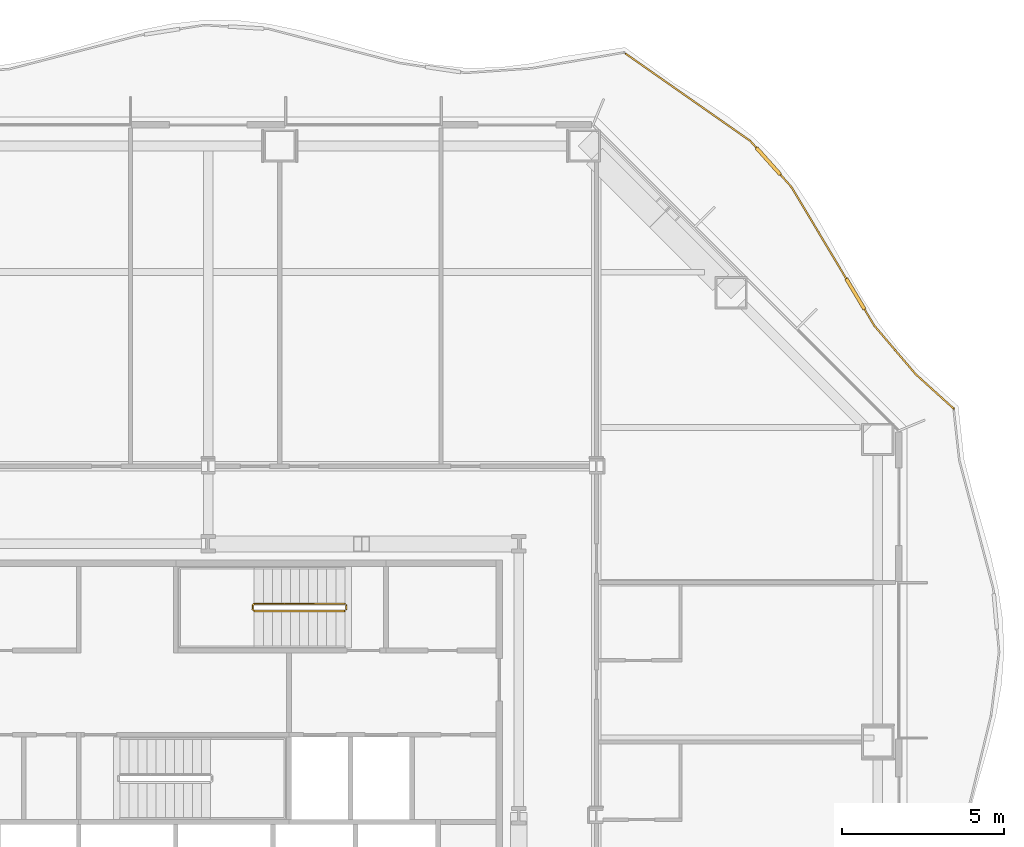
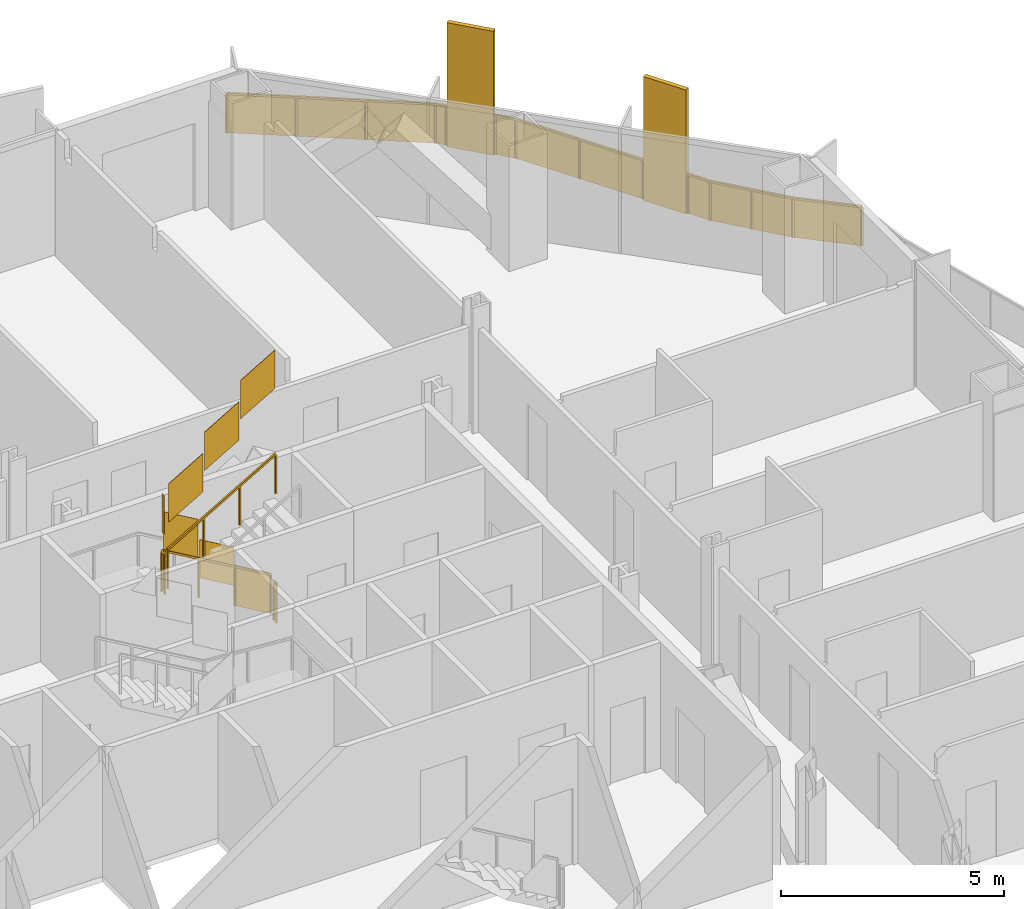
# One storey, part 20 of 20: 3 railings.
"""IFC4 building model written with IfcOpenShell, lengths in metres."""

from ifc_helpers import new_model, si_unit, direction, frame, origin, origin_2d, place, context, subcontext, project, spatial, polyline, rectangle, outline, extrude, material, type_object, element, save


model = new_model("IFC4")

# Units and contexts
model_context = context("Model", 3, precision=1e-05, world=origin(), true_north=direction((0.0, 1.0)))
body_context = subcontext(model_context, "Body", "Model", "MODEL_VIEW")
ifc_project = project(units=[si_unit("LENGTHUNIT", "METRE"), si_unit("AREAUNIT", "SQUARE_METRE"), si_unit("VOLUMEUNIT", "CUBIC_METRE"), si_unit("PLANEANGLEUNIT", "RADIAN"), si_unit("MASSUNIT", "GRAM", prefix="KILO")], contexts=[model_context])

# Site, building, storey
site_placement = place(None, origin())
site = spatial("IfcSite", under=ifc_project, at=site_placement, CompositionType="ELEMENT")
building_placement = place(site_placement, origin())
building = spatial("IfcBuilding", under=site, at=building_placement, Name="Cairn Pilgrim Tower", CompositionType="ELEMENT")
storey_placement = place(building_placement, frame((0.0, 0.0, 61.800048828125)))
storey = spatial("IfcBuildingStorey", under=building, at=storey_placement, Name="L13", CompositionType="ELEMENT", Elevation=61.800048828125)

# Railings
ifc_material_1 = material(Name="Bronze anodised aluminium rail, posts and fin screens with laminated glass infill", Category="aluminium")
railing_type_1 = type_object("IfcRailingType", Name="BALCONY GUARD WITH FIN SCREENS", PredefinedType="GUARDRAIL", material=ifc_material_1)
railing_1_placement = place(storey_placement, frame((30.241943359375, 14.9833984375, 0.0)))
element("IfcRailing", 1, at=railing_1_placement, inside=storey, type_object=railing_type_1, Name="Balcony guard BGF-3 with fin screens", PredefinedType="GUARDRAIL", context=body_context, shape_type="SweptSolid", body=[
    extrude(rectangle(XDim=0.050048828125, YDim=0.050048828125, at=origin_2d()), frame((0.0, 0.0, 1.0751953125), z_axis=(-0.741440646102, 0.671018456012, 0.0), x_axis=(-0.671018456012, -0.741440646102, 0.0)), (0.0, 0.0, 1.0), 1.580810546875),
    extrude(rectangle(XDim=0.050048828125, YDim=0.050048828125, at=origin_2d()), frame((-1.172119140625, 1.060791015625, 1.0751953125), z_axis=(-0.648674107151, 0.761066293244, 0.0), x_axis=(-0.761066293244, -0.648674107151, 0.0)), (0.0, 0.0, 1.0), 1.968017578125),
    extrude(rectangle(XDim=1.10009765625, YDim=0.110107421875, at=origin_2d()), frame((-3.037353515625, 3.54345703125, 0.0), z_axis=(0.0, 0.0, 1.0), x_axis=(-0.513065612335, 0.858349391238, 0.0)), (0.0, 0.0, 1.0), 3.39990234375),
    extrude(rectangle(XDim=0.050048828125, YDim=0.050048828125, at=origin_2d()), frame((-2.44873046875, 2.55859375, 1.0751953125), z_axis=(-0.513065612335, 0.858349391238, 0.0), x_axis=(-0.858349391238, -0.513065612335, 0.0)), (0.0, 0.0, 1.0), 0.597412109375),
    extrude(rectangle(XDim=0.050048828125, YDim=0.050048828125, at=origin_2d()), frame((-3.319580078125, 4.015625, 1.0751953125), z_axis=(-0.513065612335, 0.858349391238, 0.0), x_axis=(-0.858349391238, -0.513065612335, 0.0)), (0.0, 0.0, 1.0), 3.30078125),
    extrude(rectangle(XDim=1.10009765625, YDim=0.110107421875, at=origin_2d()), frame((-5.7255859375, 7.645263671875, 0.0), z_axis=(0.0, 0.0, 1.0), x_axis=(-0.666723892822, 0.745304803916, 0.0)), (0.0, 0.0, 1.0), 3.39990234375),
    extrude(rectangle(XDim=0.050048828125, YDim=0.050048828125, at=origin_2d()), frame((-5.01318359375, 6.848876953125, 1.0751953125), z_axis=(-0.666723892822, 0.745304803916, 0.0), x_axis=(-0.745304803916, -0.666723892822, 0.0)), (0.0, 0.0, 1.0), 0.518310546875),
    extrude(rectangle(XDim=0.050048828125, YDim=0.050048828125, at=origin_2d()), frame((-6.09228515625, 8.05517578125, 1.0751953125), z_axis=(-0.666723892822, 0.745304803916, 0.0), x_axis=(-0.745304803916, -0.666723892822, 0.0)), (0.0, 0.0, 1.0), 0.292236328125),
    extrude(rectangle(XDim=0.050048828125, YDim=0.050048828125, at=origin_2d()), frame((-6.287109375, 8.27294921875, 1.0751953125), z_axis=(-0.819148983869, 0.573580807059, 0.0), x_axis=(-0.573580807059, -0.819148983869, 0.0)), (0.0, 0.0, 1.0), 4.702392578125),
    extrude(rectangle(XDim=0.050048828125, YDim=0.050048828125, at=origin_2d()), origin(), (0.0, 0.0, 1.0), 1.050048828125),
    extrude(rectangle(XDim=0.050048828125, YDim=0.050048828125, at=origin_2d()), frame((-1.172119140625, 1.060791015625, 0.0)), (0.0, 0.0, 1.0), 1.050048828125),
    extrude(rectangle(XDim=0.050048828125, YDim=0.050048828125, at=origin_2d()), frame((-1.810546875, 1.8095703125, 0.0)), (0.0, 0.0, 1.0), 1.050048828125),
    extrude(rectangle(XDim=0.050048828125, YDim=0.050048828125, at=origin_2d()), frame((-2.44873046875, 2.55859375, 0.0)), (0.0, 0.0, 1.0), 1.050048828125),
    extrude(rectangle(XDim=0.050048828125, YDim=0.050048828125, at=origin_2d()), frame((-2.742431640625, 3.050048828125, 0.0)), (0.0, 0.0, 1.0), 1.050048828125),
    extrude(rectangle(XDim=0.050048828125, YDim=0.050048828125, at=origin_2d()), frame((-3.33251953125, 4.037109375, 0.0)), (0.0, 0.0, 1.0), 1.050048828125),
    extrude(rectangle(XDim=0.050048828125, YDim=0.050048828125, at=origin_2d()), frame((-4.1728515625, 5.443115234375, 0.0)), (0.0, 0.0, 1.0), 1.050048828125),
    extrude(rectangle(XDim=0.050048828125, YDim=0.050048828125, at=origin_2d()), frame((-5.01318359375, 6.848876953125, 0.0)), (0.0, 0.0, 1.0), 1.050048828125),
    extrude(rectangle(XDim=0.050048828125, YDim=0.050048828125, at=origin_2d()), frame((-5.342041015625, 7.216552734375, 0.0)), (0.0, 0.0, 1.0), 1.050048828125),
    extrude(rectangle(XDim=0.050048828125, YDim=0.050048828125, at=origin_2d()), frame((-6.10888671875, 8.07373046875, 0.0)), (0.0, 0.0, 1.0), 1.050048828125),
    extrude(rectangle(XDim=0.050048828125, YDim=0.050048828125, at=origin_2d()), frame((-6.287109375, 8.27294921875, 0.0)), (0.0, 0.0, 1.0), 1.050048828125),
    extrude(rectangle(XDim=0.050048828125, YDim=0.050048828125, at=origin_2d()), frame((-7.571044921875, 9.172119140625, 0.0)), (0.0, 0.0, 1.0), 1.050048828125),
    extrude(rectangle(XDim=0.050048828125, YDim=0.050048828125, at=origin_2d()), frame((-8.855224609375, 10.071044921875, 0.0)), (0.0, 0.0, 1.0), 1.050048828125),
    extrude(rectangle(XDim=0.050048828125, YDim=0.050048828125, at=origin_2d()), frame((-10.13916015625, 10.97021484375, 0.0)), (0.0, 0.0, 1.0), 1.050048828125),
    extrude(outline(polyline([(0.02490234375, 0.0), (1.555908203125, 0.0), (1.555908203125, 1.050048828125), (0.02490234375, 1.050048828125), (0.02490234375, 0.0)])), frame((-0.00390625, -0.00439453125, 0.0), z_axis=(0.671018456012, 0.741440646102, 0.0), x_axis=(-0.741440646102, 0.671018456012, 0.0)), (0.0, 0.0, 1.0), 0.011962890625),
    extrude(outline(polyline([(0.02490234375, 0.0), (0.958984375, 0.0), (0.958984375, 1.050048828125), (0.02490234375, 1.050048828125), (0.02490234375, 0.0)])), frame((-1.1767578125, 1.056884765625, 0.0), z_axis=(0.761066293244, 0.648674107151, 0.0), x_axis=(-0.648674107151, 0.761066293244, 0.0)), (0.0, 0.0, 1.0), 0.011962890625),
    extrude(outline(polyline([(0.02490234375, 0.0), (0.958984375, 0.0), (0.958984375, 1.050048828125), (0.02490234375, 1.050048828125), (0.02490234375, 0.0)])), frame((-1.81494140625, 1.805908203125, 0.0), z_axis=(0.761066293244, 0.648674107151, 0.0), x_axis=(-0.648674107151, 0.761066293244, 0.0)), (0.0, 0.0, 1.0), 0.011962890625),
    extrude(outline(polyline([(0.02490234375, 0.0), (0.54736328125, 0.0), (0.54736328125, 1.050048828125), (0.02490234375, 1.050048828125), (0.02490234375, 0.0)])), frame((-2.453857421875, 2.555419921875, 0.0), z_axis=(0.858349391238, 0.513065612335, 0.0), x_axis=(-0.513065612335, 0.858349391238, 0.0)), (0.0, 0.0, 1.0), 0.011962890625),
    extrude(outline(polyline([(0.02490234375, 0.0), (1.61279296875, 0.0), (1.61279296875, 1.050048828125), (0.02490234375, 1.050048828125), (0.02490234375, 0.0)])), frame((-3.337646484375, 4.033935546875, 0.0), z_axis=(0.858349391238, 0.513065612335, 0.0), x_axis=(-0.513065612335, 0.858349391238, 0.0)), (0.0, 0.0, 1.0), 0.011962890625),
    extrude(outline(polyline([(0.02490234375, 0.0), (1.61279296875, 0.0), (1.61279296875, 1.050048828125), (0.02490234375, 1.050048828125), (0.02490234375, 0.0)])), frame((-4.177978515625, 5.43994140625, 0.0), z_axis=(0.858349391238, 0.513065612335, 0.0), x_axis=(-0.513065612335, 0.858349391238, 0.0)), (0.0, 0.0, 1.0), 0.011962890625),
    extrude(outline(polyline([(0.02490234375, 0.0), (0.46826171875, 0.0), (0.46826171875, 1.050048828125), (0.02490234375, 1.050048828125), (0.02490234375, 0.0)])), frame((-5.017578125, 6.844970703125, 0.0), z_axis=(0.745304803916, 0.666723892822, 0.0), x_axis=(-0.666723892822, 0.745304803916, 0.0)), (0.0, 0.0, 1.0), 0.011962890625),
    extrude(outline(polyline([(0.02490234375, 0.0), (0.2421875, 0.0), (0.2421875, 1.050048828125), (0.02490234375, 1.050048828125), (0.02490234375, 0.0)])), frame((-6.11328125, 8.06982421875, 0.0), z_axis=(0.745304803916, 0.666723892822, 0.0), x_axis=(-0.666723892822, 0.745304803916, 0.0)), (0.0, 0.0, 1.0), 0.011962890625),
    extrude(outline(polyline([(0.02490234375, 0.0), (1.54248046875, 0.0), (1.54248046875, 1.050048828125), (0.02490234375, 1.050048828125), (0.02490234375, 0.0)])), frame((-6.29052734375, 8.26806640625, 0.0), z_axis=(0.573580807059, 0.819148983869, 0.0), x_axis=(-0.819148983869, 0.573580807059, 0.0)), (0.0, 0.0, 1.0), 0.011962890625),
    extrude(outline(polyline([(0.02490234375, 0.0), (1.54248046875, 0.0), (1.54248046875, 1.050048828125), (0.02490234375, 1.050048828125), (0.02490234375, 0.0)])), frame((-7.574462890625, 9.167236328125, 0.0), z_axis=(0.573580807059, 0.819148983869, 0.0), x_axis=(-0.819148983869, 0.573580807059, 0.0)), (0.0, 0.0, 1.0), 0.011962890625),
    extrude(outline(polyline([(0.02490234375, 0.0), (1.54248046875, 0.0), (1.54248046875, 1.050048828125), (0.02490234375, 1.050048828125), (0.02490234375, 0.0)])), frame((-8.858642578125, 10.066162109375, 0.0), z_axis=(0.573580807059, 0.819148983869, 0.0), x_axis=(-0.819148983869, 0.573580807059, 0.0)), (0.0, 0.0, 1.0), 0.011962890625),
])
ifc_material_2 = material(Name="Painted steel", Category="steel")
railing_type_2 = type_object("IfcRailingType", Name="STAIR GUARD 1100", PredefinedType="GUARDRAIL", material=ifc_material_2)
railing_2_placement = place(storey_placement, frame((11.425048828125, 8.949951171875, 0.16357421875)))
element("IfcRailing", 2, at=railing_2_placement, inside=storey, type_object=railing_type_2, Name="L13 ST-C stair guard 1", PredefinedType="GUARDRAIL", context=body_context, shape_type="SweptSolid", body=[
    extrude(rectangle(XDim=0.048095703125, YDim=0.048095703125, at=origin_2d()), frame((0.0, 0.0, 1.076171875), z_axis=(-0.863360870873, 0.0, 0.504586966384), x_axis=(0.0, -1.0, 0.0)), (0.0, 0.0, 1.0), 3.2431640625),
    extrude(rectangle(XDim=0.048095703125, YDim=0.048095703125, at=origin_2d()), frame((-2.800048828125, 0.0, 2.71240234375), z_axis=(-0.707106781187, -0.707106781187, 0.0), x_axis=(0.707106781187, -0.707106781187, 0.0)), (0.0, 0.0, 1.0), 0.07080078125),
    extrude(rectangle(XDim=0.048095703125, YDim=0.048095703125, at=origin_2d()), frame((-2.85009765625, -0.050048828125, 2.71240234375), z_axis=(0.0, -1.0, 0.0), x_axis=(1.0, 0.0, 0.0)), (0.0, 0.0, 1.0), 0.125),
    extrude(rectangle(XDim=0.048095703125, YDim=0.048095703125, at=origin_2d()), frame((-2.85009765625, -0.175048828125, 2.71240234375), z_axis=(0.280916556609, -0.279546231943, 0.91811752648), x_axis=(0.705375805398, 0.708833529934, 0.0)), (0.0, 0.0, 1.0), 0.17822265625),
    extrude(rectangle(XDim=0.048095703125, YDim=0.048095703125, at=origin_2d()), frame((-2.800048828125, -0.224853515625, 2.8759765625), z_axis=(0.863393664356, 0.0, 0.504530851732), x_axis=(0.0, 1.0, 0.0)), (0.0, 0.0, 1.0), 3.2431640625),
    extrude(rectangle(XDim=0.0419921875, YDim=0.0419921875, at=origin_2d()), origin(), (0.0, 0.0, 1.0), 1.052001953125),
    extrude(rectangle(XDim=0.0419921875, YDim=0.0419921875, at=origin_2d()), frame((-0.933349609375, 0.0, 0.54541015625)), (0.0, 0.0, 1.0), 1.052001953125),
    extrude(rectangle(XDim=0.0419921875, YDim=0.0419921875, at=origin_2d()), frame((-1.86669921875, 0.0, 1.091064453125)), (0.0, 0.0, 1.0), 1.052001953125),
    extrude(rectangle(XDim=0.0419921875, YDim=0.0419921875, at=origin_2d()), frame((-2.800048828125, 0.0, 1.636474609375)), (0.0, 0.0, 1.0), 1.052001953125),
    extrude(rectangle(XDim=0.0419921875, YDim=0.0419921875, at=origin_2d()), frame((-2.85009765625, -0.050048828125, 1.636474609375)), (0.0, 0.0, 1.0), 1.052001953125),
    extrude(rectangle(XDim=0.0419921875, YDim=0.0419921875, at=origin_2d()), frame((-2.85009765625, -0.175048828125, 1.636474609375)), (0.0, 0.0, 1.0), 1.052001953125),
    extrude(rectangle(XDim=0.0419921875, YDim=0.0419921875, at=origin_2d()), frame((-2.800048828125, -0.224853515625, 1.800048828125)), (0.0, 0.0, 1.0), 1.052001953125),
    extrude(rectangle(XDim=0.0419921875, YDim=0.0419921875, at=origin_2d()), frame((-1.86669921875, -0.224853515625, 2.345458984375)), (0.0, 0.0, 1.0), 1.052001953125),
    extrude(rectangle(XDim=0.0419921875, YDim=0.0419921875, at=origin_2d()), frame((-0.933349609375, -0.224853515625, 2.890869140625)), (0.0, 0.0, 1.0), 1.052001953125),
    extrude(rectangle(XDim=0.0419921875, YDim=0.0419921875, at=origin_2d()), frame((0.0, -0.224853515625, 3.436279296875)), (0.0, 0.0, 1.0), 1.052001953125),
    extrude(outline(polyline([(0.02099609375, 0.01220703125), (0.912353515625, 0.533203125), (0.912353515625, 1.585205078125), (0.02099609375, 1.064208984375), (0.02099609375, 0.01220703125)])), frame((0.0, -0.005859375, 0.0), z_axis=(0.0, 1.0, 0.0), x_axis=(-1.0, 0.0, 0.0)), (0.0, 0.0, 1.0), 0.011962890625),
    extrude(outline(polyline([(0.02099609375, 0.557861328125), (0.912353515625, 1.07861328125), (0.912353515625, 2.130615234375), (0.02099609375, 1.60986328125), (0.02099609375, 0.557861328125)])), frame((-0.933349609375, -0.005859375, 0.54541015625), z_axis=(0.0, 1.0, 0.0), x_axis=(-1.0, 0.0, 0.0)), (0.0, 0.0, 1.0), 0.011962890625),
    extrude(outline(polyline([(0.02099609375, 1.103271484375), (0.912353515625, 1.624267578125), (0.912353515625, 2.67626953125), (0.02099609375, 2.1552734375), (0.02099609375, 1.103271484375)])), frame((-1.86669921875, -0.005859375, 1.091064453125), z_axis=(0.0, 1.0, 0.0), x_axis=(-1.0, 0.0, 0.0)), (0.0, 0.0, 1.0), 0.011962890625),
    extrude(outline(polyline([(0.02099609375, 1.636474609375), (0.10400390625, 1.636474609375), (0.10400390625, 2.6884765625), (0.02099609375, 2.6884765625), (0.02099609375, 1.636474609375)])), frame((-2.84423828125, -0.050048828125, 1.636474609375), z_axis=(-1.0, 0.0, 0.0), x_axis=(0.0, -1.0, 0.0)), (0.0, 0.0, 1.0), 0.011962890625),
    extrude(outline(polyline([(0.02099609375, 1.812255859375), (0.912353515625, 2.333251953125), (0.912353515625, 3.38525390625), (0.02099609375, 2.8642578125), (0.02099609375, 1.812255859375)])), frame((-2.800048828125, -0.21875, 1.800048828125), z_axis=(0.0, -1.0, 0.0), x_axis=(1.0, 0.0, 0.0)), (0.0, 0.0, 1.0), 0.011962890625),
    extrude(outline(polyline([(0.02099609375, 2.357666015625), (0.912353515625, 2.878662109375), (0.912353515625, 3.9306640625), (0.02099609375, 3.40966796875), (0.02099609375, 2.357666015625)])), frame((-1.86669921875, -0.21875, 2.345458984375), z_axis=(0.0, -1.0, 0.0), x_axis=(1.0, 0.0, 0.0)), (0.0, 0.0, 1.0), 0.011962890625),
    extrude(outline(polyline([(0.02099609375, 2.903076171875), (0.912353515625, 3.424072265625), (0.912353515625, 4.47607421875), (0.02099609375, 3.955078125), (0.02099609375, 2.903076171875)])), frame((-0.933349609375, -0.21875, 2.890869140625), z_axis=(0.0, -1.0, 0.0), x_axis=(1.0, 0.0, 0.0)), (0.0, 0.0, 1.0), 0.011962890625),
])
railing_3_placement = place(storey_placement, frame((11.47509765625, 8.89990234375, 0.0)))
element("IfcRailing", 3, at=railing_3_placement, inside=storey, type_object=railing_type_2, Name="L13 ST-C stair guard 2", PredefinedType="GUARDRAIL", context=body_context, shape_type="SweptSolid", body=[
    extrude(rectangle(XDim=0.048095703125, YDim=0.048095703125, at=origin_2d()), frame((0.0, 0.0, 1.076171875), z_axis=(0.0, -1.0, 0.0), x_axis=(1.0, 0.0, 0.0)), (0.0, 0.0, 1.0), 0.125),
    extrude(rectangle(XDim=0.0419921875, YDim=0.0419921875, at=origin_2d()), origin(), (0.0, 0.0, 1.0), 1.052001953125),
    extrude(rectangle(XDim=0.0419921875, YDim=0.0419921875, at=origin_2d()), frame((0.0, -0.125, 0.0)), (0.0, 0.0, 1.0), 1.052001953125),
    extrude(outline(polyline([(0.02099609375, 0.0), (0.10400390625, 0.0), (0.10400390625, 1.052001953125), (0.02099609375, 1.052001953125), (0.02099609375, 0.0)])), frame((0.005859375, 0.0, 0.0), z_axis=(-1.0, 0.0, 0.0), x_axis=(0.0, -1.0, 0.0)), (0.0, 0.0, 1.0), 0.011962890625),
])

save(model, "model.ifc")
